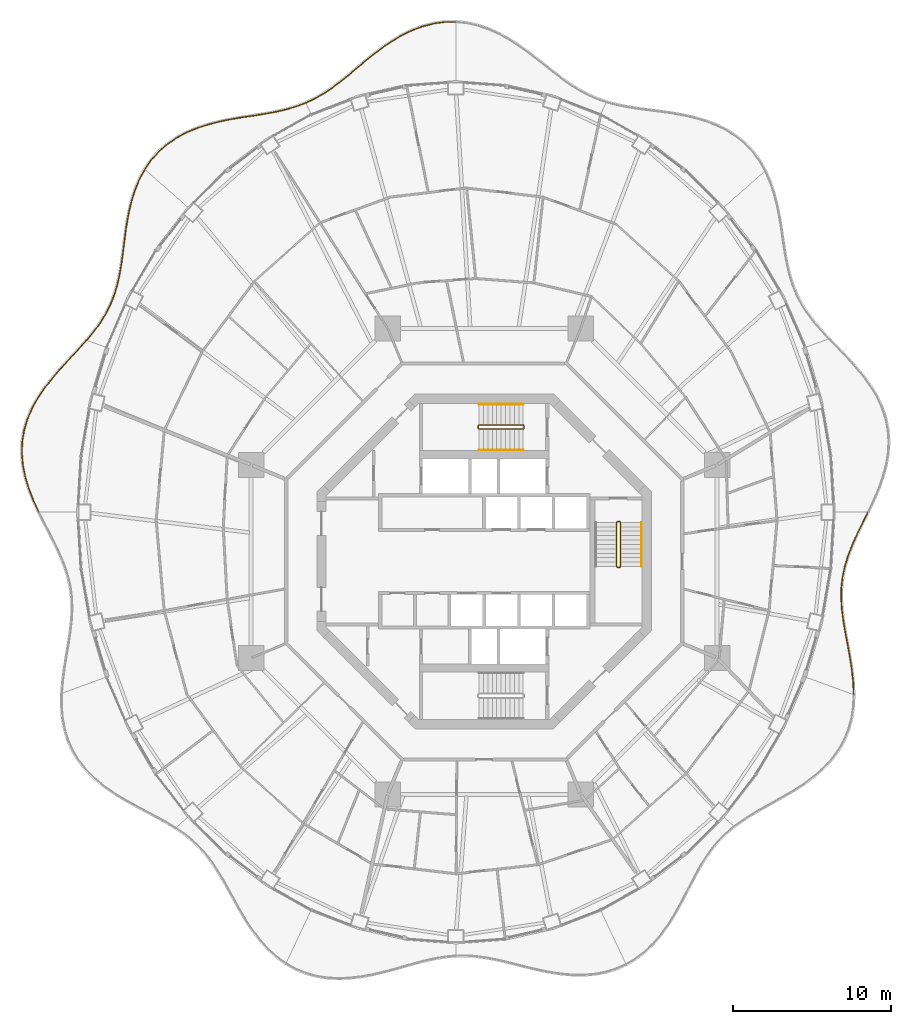
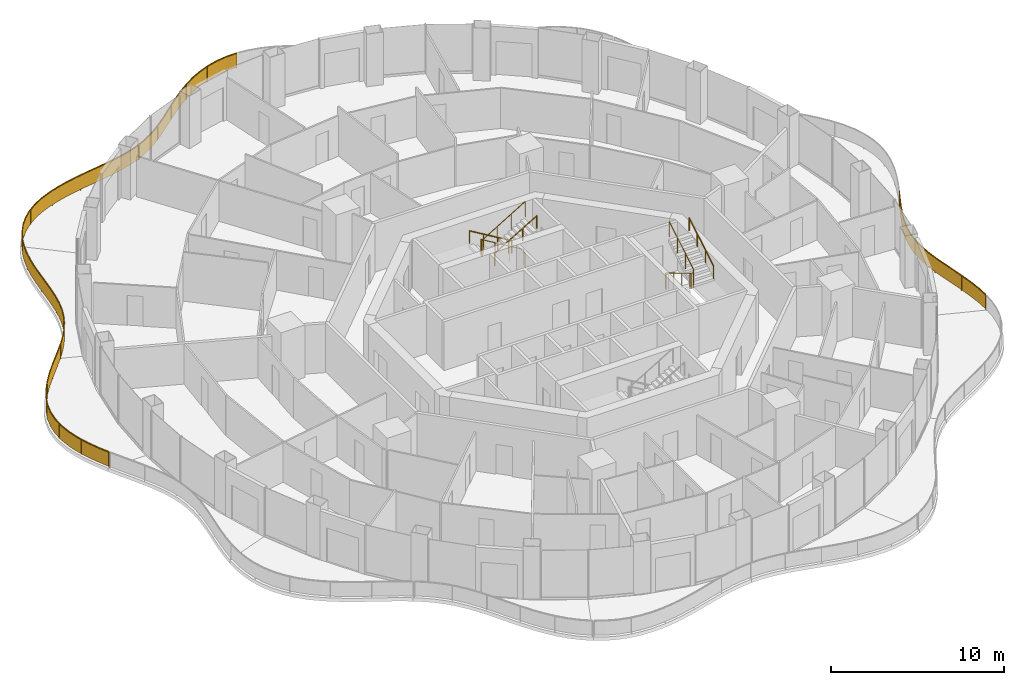
# One storey, part 17 of 18: 10 railings.
"""IFC4 building model written with IfcOpenShell, lengths in metres."""

from ifc_helpers import new_model, si_unit, direction, frame, origin, origin_2d, place, context, subcontext, project, spatial, polyline, rectangle, circle, outline, extrude, material, type_object, element, save


model = new_model("IFC4")

# Units and contexts
model_context = context("Model", 3, precision=1e-05, world=origin(), true_north=direction((0.0, 1.0)))
body_context = subcontext(model_context, "Body", "Model", "MODEL_VIEW")
ifc_project = project(units=[si_unit("LENGTHUNIT", "METRE"), si_unit("AREAUNIT", "SQUARE_METRE"), si_unit("VOLUMEUNIT", "CUBIC_METRE"), si_unit("PLANEANGLEUNIT", "RADIAN"), si_unit("MASSUNIT", "GRAM", prefix="KILO")], contexts=[model_context])

# Site, building, storey
site_placement = place(None, origin())
site = spatial("IfcSite", under=ifc_project, at=site_placement, CompositionType="ELEMENT")
building_placement = place(site_placement, origin())
building = spatial("IfcBuilding", under=site, at=building_placement, Name="Nagisa Residences", CompositionType="ELEMENT")
storey_placement = place(building_placement, frame((0.0, 0.0, 234.39990234375)))
storey = spatial("IfcBuildingStorey", under=building, at=storey_placement, Name="L59", CompositionType="ELEMENT", Elevation=234.39990234375)

# Railings
ifc_material_1 = material(Name="Stainless steel 316", Category="steel")
railing_type_1 = type_object("IfcRailingType", Name="BALCONY GUARD 1100", PredefinedType="BALUSTRADE", material=ifc_material_1)
railing_1_placement = place(storey_placement, frame((-1.8388671875, 34.22900390625, 0.0)))
element("IfcRailing", 1, at=railing_1_placement, inside=storey, type_object=railing_type_1, Name="guard:L59:bal04-0", PredefinedType="BALUSTRADE", context=body_context, shape_type="SweptSolid", body=[
    extrude(outline(polyline([(-0.6533203125, -0.03369140625), (0.000244140625, -0.02490234375), (-0.000244140625, 0.02490234375), (-0.6572265625, 0.01611328125), (-1.358642578125, -0.077880859375), (-2.05029296875, -0.2529296875), (-2.7265625, -0.5029296875), (-3.3818359375, -0.818603515625), (-3.99951171875, -1.186767578125), (-4.609619140625, -1.60009765625), (-5.1962890625, -2.04150390625), (-5.76171875, -2.497802734375), (-6.308837890625, -2.95458984375), (-6.82568359375, -3.394287109375), (-7.3515625, -3.815673828125), (-7.8759765625, -4.204345703125), (-8.4052734375, -4.553955078125), (-8.94580078125, -4.860107421875), (-9.46533203125, -5.10400390625), (-9.44384765625, -5.1494140625), (-8.9228515625, -4.904541015625), (-8.37890625, -4.596435546875), (-7.84716796875, -4.245361328125), (-7.32080078125, -3.855224609375), (-6.7939453125, -3.432861328125), (-6.276611328125, -2.99267578125), (-5.72998046875, -2.536376953125), (-5.16552734375, -2.0810546875), (-4.580322265625, -1.640625), (-3.97265625, -1.229248046875), (-3.35791015625, -0.862548828125), (-2.70703125, -0.548828125), (-2.03564453125, -0.30078125), (-1.349365234375, -0.127197265625), (-0.6533203125, -0.03369140625)])), frame((0.0, 0.0, 1.050048828125)), (0.0, 0.0, 1.0), 0.050048828125),
    extrude(outline(polyline([(-0.65478515625, -0.015869140625), (0.0, -0.007080078125), (0.0, 0.007080078125), (-0.65576171875, -0.001708984375), (-1.355224609375, -0.095703125), (-2.045166015625, -0.270263671875), (-2.719482421875, -0.51953125), (-3.373291015625, -0.83447265625), (-3.98974609375, -1.2021484375), (-4.59912109375, -1.61474609375), (-5.185302734375, -2.0556640625), (-5.750244140625, -2.51171875), (-6.297119140625, -2.96826171875), (-6.814208984375, -3.408203125), (-7.340576171875, -3.829833984375), (-7.865478515625, -4.21923828125), (-8.395751953125, -4.5693359375), (-8.9375, -4.876220703125), (-9.45751953125, -5.120361328125), (-9.45166015625, -5.133056640625), (-8.93115234375, -4.888427734375), (-8.388427734375, -4.5810546875), (-7.857666015625, -4.23046875), (-7.331787109375, -3.841064453125), (-6.805419921875, -3.4189453125), (-6.288330078125, -2.97900390625), (-5.741455078125, -2.5224609375), (-5.176513671875, -2.06689453125), (-4.5908203125, -1.6259765625), (-3.982421875, -1.2138671875), (-3.366455078125, -0.8466796875), (-2.714111328125, -0.5322265625), (-2.040771484375, -0.283447265625), (-1.352783203125, -0.109375), (-0.65478515625, -0.015869140625)])), frame((0.0, 0.0, 0.06005859375)), (0.0, 0.0, 1.0), 0.989990234375),
    extrude(rectangle(XDim=0.0400390625, YDim=0.0400390625, at=origin_2d()), origin(), (0.0, 0.0, 1.0), 1.050048828125),
    extrude(rectangle(XDim=0.0400390625, YDim=0.0400390625, at=origin_2d()), frame((-2.16015625, -0.320068359375, 0.0)), (0.0, 0.0, 1.0), 1.050048828125),
    extrude(rectangle(XDim=0.0400390625, YDim=0.0400390625, at=origin_2d()), frame((-4.11865234375, -1.2978515625, 0.0)), (0.0, 0.0, 1.0), 1.050048828125),
    extrude(rectangle(XDim=0.0400390625, YDim=0.0400390625, at=origin_2d()), frame((-5.869873046875, -2.62060546875, 0.0)), (0.0, 0.0, 1.0), 1.050048828125),
    extrude(rectangle(XDim=0.0400390625, YDim=0.0400390625, at=origin_2d()), frame((-7.570556640625, -4.009033203125, 0.0)), (0.0, 0.0, 1.0), 1.050048828125),
    extrude(rectangle(XDim=0.0400390625, YDim=0.0400390625, at=origin_2d()), frame((-9.45458984375, -5.126708984375, 0.0)), (0.0, 0.0, 1.0), 1.050048828125),
])
railing_2_placement = place(storey_placement, frame((-11.35693359375, 29.075927734375, 0.0)))
element("IfcRailing", 2, at=railing_2_placement, inside=storey, type_object=railing_type_1, Name="guard:L59:bal05-0", PredefinedType="BALUSTRADE", context=body_context, shape_type="SweptSolid", body=[
    extrude(outline(polyline([(-0.554931640625, -0.2353515625), (0.0087890625, -0.0234375), (-0.0087890625, 0.0234375), (-0.571044921875, -0.18798828125), (-1.198974609375, -0.372802734375), (-1.85498046875, -0.524169921875), (-2.53857421875, -0.65087890625), (-3.245849609375, -0.764892578125), (-3.958251953125, -0.869384765625), (-4.69580078125, -0.995361328125), (-5.435791015625, -1.14599609375), (-6.16796875, -1.333251953125), (-6.880859375, -1.566650390625), (-7.552001953125, -1.843505859375), (-8.1953125, -2.19091796875), (-8.788818359375, -2.600830078125), (-9.324951171875, -3.07373046875), (-9.798828125, -3.607177734375), (-10.178466796875, -4.156982421875), (-10.137451171875, -4.185302734375), (-9.75927734375, -3.637939453125), (-9.289794921875, -3.109375), (-8.758056640625, -2.640380859375), (-8.1689453125, -2.23388671875), (-7.530517578125, -1.888916015625), (-6.86328125, -1.613525390625), (-6.15380859375, -1.381103515625), (-5.424560546875, -1.19482421875), (-4.6865234375, -1.044677734375), (-3.950439453125, -0.918701171875), (-3.238037109375, -0.814208984375), (-2.52978515625, -0.7001953125), (-1.8447265625, -0.572998046875), (-1.186279296875, -0.421142578125), (-0.554931640625, -0.2353515625)])), frame((0.0, 0.0, 1.050048828125)), (0.0, 0.0, 1.0), 0.050048828125),
    extrude(outline(polyline([(-0.560791015625, -0.21826171875), (0.00244140625, -0.006591796875), (-0.00244140625, 0.006591796875), (-0.565185546875, -0.205078125), (-1.1943359375, -0.39013671875), (-1.851318359375, -0.541748046875), (-2.535400390625, -0.668701171875), (-3.242919921875, -0.78271484375), (-3.955322265625, -0.88720703125), (-4.6923828125, -1.01318359375), (-5.431640625, -1.16357421875), (-6.162841796875, -1.350341796875), (-6.87451171875, -1.58349609375), (-7.544189453125, -1.85986328125), (-8.185791015625, -2.20654296875), (-8.77783203125, -2.614990234375), (-9.312255859375, -3.086669921875), (-9.78466796875, -3.6181640625), (-10.163818359375, -4.167236328125), (-10.152099609375, -4.175048828125), (-9.7734375, -3.626953125), (-9.302490234375, -3.096435546875), (-8.76904296875, -2.626220703125), (-8.178466796875, -2.21826171875), (-7.538330078125, -1.87255859375), (-6.86962890625, -1.5966796875), (-6.158935546875, -1.364013671875), (-5.4287109375, -1.17724609375), (-4.68994140625, -1.02685546875), (-3.953369140625, -0.90087890625), (-3.240966796875, -0.79638671875), (-2.532958984375, -0.682373046875), (-1.848388671875, -0.555419921875), (-1.19091796875, -0.40380859375), (-0.560791015625, -0.21826171875)])), frame((0.0, 0.0, 0.06005859375)), (0.0, 0.0, 1.0), 0.989990234375),
    extrude(rectangle(XDim=0.0400390625, YDim=0.0400390625, at=origin_2d()), origin(), (0.0, 0.0, 1.0), 1.050048828125),
    extrude(rectangle(XDim=0.0400390625, YDim=0.0400390625, at=origin_2d()), frame((-2.177734375, -0.609375, 0.0)), (0.0, 0.0, 1.0), 1.050048828125),
    extrude(rectangle(XDim=0.0400390625, YDim=0.0400390625, at=origin_2d()), frame((-4.4140625, -0.97265625, 0.0)), (0.0, 0.0, 1.0), 1.050048828125),
    extrude(rectangle(XDim=0.0400390625, YDim=0.0400390625, at=origin_2d()), frame((-6.61376953125, -1.50537109375, 0.0)), (0.0, 0.0, 1.0), 1.050048828125),
    extrude(rectangle(XDim=0.0400390625, YDim=0.0400390625, at=origin_2d()), frame((-8.6279296875, -2.52001953125, 0.0)), (0.0, 0.0, 1.0), 1.050048828125),
    extrude(rectangle(XDim=0.0400390625, YDim=0.0400390625, at=origin_2d()), frame((-10.157958984375, -4.171142578125, 0.0)), (0.0, 0.0, 1.0), 1.050048828125),
])
railing_3_placement = place(storey_placement, frame((-21.554931640625, 24.838623046875, 0.0)))
element("IfcRailing", 3, at=railing_3_placement, inside=storey, type_object=railing_type_1, Name="guard:L59:bal06-0", PredefinedType="BALUSTRADE", context=body_context, shape_type="SweptSolid", body=[
    extrude(outline(polyline([(-0.310546875, -0.637451171875), (0.022216796875, -0.01171875), (-0.022216796875, 0.01171875), (-0.35595703125, -0.616455078125), (-0.644775390625, -1.329345703125), (-0.87109375, -2.074462890625), (-1.045166015625, -2.840087890625), (-1.178466796875, -3.6142578125), (-1.277587890625, -4.373046875), (-1.37353515625, -5.132080078125), (-1.4736328125, -5.87060546875), (-1.592529296875, -6.58251953125), (-1.7431640625, -7.264892578125), (-1.929931640625, -7.90283203125), (-2.174072265625, -8.5234375), (-2.47314453125, -9.117919921875), (-2.828369140625, -9.690673828125), (-3.23681640625, -10.248046875), (-3.6650390625, -10.76318359375), (-3.62646484375, -10.79541015625), (-3.197265625, -10.27880859375), (-2.786865234375, -9.718505859375), (-2.42919921875, -9.142333984375), (-2.128173828125, -8.5439453125), (-1.882568359375, -7.9189453125), (-1.69482421875, -7.277099609375), (-1.543212890625, -6.59228515625), (-1.42431640625, -5.8779296875), (-1.32373046875, -5.138427734375), (-1.227783203125, -4.37939453125), (-1.129150390625, -3.62158203125), (-0.995849609375, -2.849853515625), (-0.82275390625, -2.087158203125), (-0.597412109375, -1.345947265625), (-0.310546875, -0.637451171875)])), frame((0.0, 0.0, 1.050048828125)), (0.0, 0.0, 1.0), 0.050048828125),
    extrude(outline(polyline([(-0.326904296875, -0.6298828125), (0.006103515625, -0.003173828125), (-0.006103515625, 0.003173828125), (-0.339599609375, -0.6240234375), (-0.627685546875, -1.335205078125), (-0.853759765625, -2.0791015625), (-1.02734375, -2.843505859375), (-1.16064453125, -3.616943359375), (-1.259521484375, -4.375244140625), (-1.35546875, -5.13427734375), (-1.455810546875, -5.873291015625), (-1.57470703125, -6.586181640625), (-1.725830078125, -7.269287109375), (-1.912841796875, -7.90869140625), (-2.157470703125, -8.53076171875), (-2.457275390625, -9.126708984375), (-2.8134765625, -9.70068359375), (-3.22265625, -10.259033203125), (-3.651123046875, -10.77490234375), (-3.640380859375, -10.78369140625), (-3.21142578125, -10.267822265625), (-2.8017578125, -9.70849609375), (-2.445068359375, -9.133544921875), (-2.144775390625, -8.53662109375), (-1.899658203125, -7.9130859375), (-1.712158203125, -7.272705078125), (-1.56103515625, -6.588623046875), (-1.442138671875, -5.875244140625), (-1.341796875, -5.13623046875), (-1.245849609375, -4.377197265625), (-1.14697265625, -3.618896484375), (-1.013671875, -2.846435546875), (-0.840087890625, -2.08251953125), (-0.614501953125, -1.340087890625), (-0.326904296875, -0.6298828125)])), frame((0.0, 0.0, 0.06005859375)), (0.0, 0.0, 1.0), 0.989990234375),
    extrude(rectangle(XDim=0.0400390625, YDim=0.0400390625, at=origin_2d()), origin(), (0.0, 0.0, 1.0), 1.050048828125),
    extrude(rectangle(XDim=0.0400390625, YDim=0.0400390625, at=origin_2d()), frame((-0.860107421875, -2.138427734375, 0.0)), (0.0, 0.0, 1.0), 1.050048828125),
    extrude(rectangle(XDim=0.0400390625, YDim=0.0400390625, at=origin_2d()), frame((-1.257568359375, -4.4150390625, 0.0)), (0.0, 0.0, 1.0), 1.050048828125),
    extrude(rectangle(XDim=0.0400390625, YDim=0.0400390625, at=origin_2d()), frame((-1.59326171875, -6.70263671875, 0.0)), (0.0, 0.0, 1.0), 1.050048828125),
    extrude(rectangle(XDim=0.0400390625, YDim=0.0400390625, at=origin_2d()), frame((-2.328369140625, -8.88623046875, 0.0)), (0.0, 0.0, 1.0), 1.050048828125),
    extrude(rectangle(XDim=0.0400390625, YDim=0.0400390625, at=origin_2d()), frame((-3.645751953125, -10.779296875, 0.0)), (0.0, 0.0, 1.0), 1.050048828125),
])
railing_4_placement = place(storey_placement, frame((-25.250732421875, 14.0048828125, 0.0)))
element("IfcRailing", 4, at=railing_4_placement, inside=storey, type_object=railing_type_1, Name="guard:L59:bal07-0", PredefinedType="BALUSTRADE", context=body_context, shape_type="SweptSolid", body=[
    extrude(outline(polyline([(-0.4619140625, -0.5498046875), (0.0185546875, -0.016845703125), (-0.0185546875, 0.016845703125), (-0.4990234375, -0.51611328125), (-1.031005859375, -1.088623046875), (-1.570556640625, -1.675048828125), (-2.099609375, -2.280517578125), (-2.5986328125, -2.90966796875), (-3.046630859375, -3.551025390625), (-3.43310546875, -4.232421875), (-3.740966796875, -4.938720703125), (-3.959716796875, -5.66650390625), (-4.082763671875, -6.4111328125), (-4.107421875, -7.153564453125), (-4.0390625, -7.9150390625), (-3.8837890625, -8.675537109375), (-3.6533203125, -9.430419921875), (-3.3623046875, -10.17431640625), (-3.04541015625, -10.863037109375), (-3.0, -10.842041015625), (-3.31640625, -10.15478515625), (-3.60595703125, -9.413818359375), (-3.83544921875, -8.663330078125), (-3.9892578125, -7.90771484375), (-4.05712890625, -7.152099609375), (-4.032958984375, -6.416015625), (-3.910888671875, -5.677734375), (-3.694091796875, -4.955810546875), (-3.38818359375, -4.2548828125), (-3.004150390625, -3.577880859375), (-2.55859375, -2.939453125), (-2.06103515625, -2.312744140625), (-1.533447265625, -1.708251953125), (-0.994384765625, -1.122802734375), (-0.4619140625, -0.5498046875)])), frame((0.0, 0.0, 1.050048828125)), (0.0, 0.0, 1.0), 0.050048828125),
    extrude(outline(polyline([(-0.475341796875, -0.53759765625), (0.005126953125, -0.004638671875), (-0.005126953125, 0.004638671875), (-0.485595703125, -0.5283203125), (-1.017822265625, -1.10107421875), (-1.55712890625, -1.68701171875), (-2.085693359375, -2.292236328125), (-2.584228515625, -2.92041015625), (-3.03125, -3.560791015625), (-3.4169921875, -4.240478515625), (-3.72412109375, -4.94482421875), (-3.942138671875, -5.670654296875), (-4.06494140625, -6.412841796875), (-4.08935546875, -7.153076171875), (-4.02099609375, -7.912353515625), (-3.866455078125, -8.671142578125), (-3.63623046875, -9.42431640625), (-3.345703125, -10.167236328125), (-3.029052734375, -10.85546875), (-3.016357421875, -10.849609375), (-3.3330078125, -10.161865234375), (-3.623046875, -9.419921875), (-3.852783203125, -8.667724609375), (-4.00732421875, -7.910400390625), (-4.0751953125, -7.152587890625), (-4.05078125, -6.414306640625), (-3.928466796875, -5.673583984375), (-3.7109375, -4.94970703125), (-3.404296875, -4.246826171875), (-3.01953125, -3.568115234375), (-2.572998046875, -2.9287109375), (-2.074951171875, -2.301025390625), (-1.546875, -1.6962890625), (-1.007568359375, -1.1103515625), (-0.475341796875, -0.53759765625)])), frame((0.0, 0.0, 0.06005859375)), (0.0, 0.0, 1.0), 0.989990234375),
    extrude(rectangle(XDim=0.0400390625, YDim=0.0400390625, at=origin_2d()), origin(), (0.0, 0.0, 1.0), 1.050048828125),
    extrude(rectangle(XDim=0.0400390625, YDim=0.0400390625, at=origin_2d()), frame((-1.3916015625, -1.517578125, 0.0)), (0.0, 0.0, 1.0), 1.050048828125),
    extrude(rectangle(XDim=0.0400390625, YDim=0.0400390625, at=origin_2d()), frame((-2.703125, -3.10302734375, 0.0)), (0.0, 0.0, 1.0), 1.050048828125),
    extrude(rectangle(XDim=0.0400390625, YDim=0.0400390625, at=origin_2d()), frame((-3.696533203125, -4.8994140625, 0.0)), (0.0, 0.0, 1.0), 1.050048828125),
    extrude(rectangle(XDim=0.0400390625, YDim=0.0400390625, at=origin_2d()), frame((-4.07421875, -6.91162109375, 0.0)), (0.0, 0.0, 1.0), 1.050048828125),
    extrude(rectangle(XDim=0.0400390625, YDim=0.0400390625, at=origin_2d()), frame((-3.777099609375, -8.939697265625, 0.0)), (0.0, 0.0, 1.0), 1.050048828125),
    extrude(rectangle(XDim=0.0400390625, YDim=0.0400390625, at=origin_2d()), frame((-3.022705078125, -10.8525390625, 0.0)), (0.0, 0.0, 1.0), 1.050048828125),
])
railing_5_placement = place(storey_placement, frame((23.439453125, -8.418701171875, 0.0)))
element("IfcRailing", 5, at=railing_5_placement, inside=storey, type_object=railing_type_1, Name="guard:L59:bal15-0", PredefinedType="BALUSTRADE", context=body_context, shape_type="SweptSolid", body=[
    extrude(outline(polyline([(-0.05517578125, 0.747314453125), (-0.02490234375, -0.0009765625), (0.02490234375, 0.0009765625), (-0.00537109375, 0.751220703125), (-0.09033203125, 1.550537109375), (-0.213623046875, 2.345458984375), (-0.3564453125, 3.129150390625), (-0.5, 3.896728515625), (-0.629150390625, 4.632080078125), (-0.72119140625, 5.36083984375), (-0.765625, 6.0703125), (-0.75244140625, 6.763427734375), (-0.675048828125, 7.44384765625), (-0.533203125, 8.10302734375), (-0.326904296875, 8.77392578125), (-0.06494140625, 9.447998046875), (0.24169921875, 10.13037109375), (0.577880859375, 10.82421875), (0.908447265625, 11.4912109375), (0.863525390625, 11.513671875), (0.532958984375, 10.84619140625), (0.1962890625, 10.1513671875), (-0.111328125, 9.467529296875), (-0.374267578125, 8.79052734375), (-0.58154296875, 8.11572265625), (-0.724365234375, 7.4521484375), (-0.80224609375, 6.766845703125), (-0.81591796875, 6.0693359375), (-0.77099609375, 5.35595703125), (-0.678466796875, 4.624755859375), (-0.54931640625, 3.887939453125), (-0.40576171875, 3.119873046875), (-0.262939453125, 2.337158203125), (-0.14013671875, 1.544189453125), (-0.05517578125, 0.747314453125)])), frame((0.0, 0.0, 1.050048828125)), (0.0, 0.0, 1.0), 0.050048828125),
    extrude(outline(polyline([(-0.037353515625, 0.748779296875), (-0.007080078125, -0.000244140625), (0.007080078125, 0.000244140625), (-0.023193359375, 0.749755859375), (-0.1083984375, 1.54833984375), (-0.2314453125, 2.342529296875), (-0.374267578125, 3.125732421875), (-0.517822265625, 3.8935546875), (-0.64697265625, 4.62939453125), (-0.739013671875, 5.359130859375), (-0.78369140625, 6.070068359375), (-0.770263671875, 6.7646484375), (-0.69287109375, 7.44677734375), (-0.550537109375, 8.107666015625), (-0.343994140625, 8.780029296875), (-0.081787109375, 9.455078125), (0.225341796875, 10.137939453125), (0.561767578125, 10.83203125), (0.892333984375, 11.499267578125), (0.879638671875, 11.505615234375), (0.549072265625, 10.83837890625), (0.212646484375, 10.143798828125), (-0.094482421875, 9.46044921875), (-0.357177734375, 8.784423828125), (-0.564208984375, 8.111083984375), (-0.70654296875, 7.44921875), (-0.784423828125, 6.765625), (-0.7978515625, 6.069580078125), (-0.753173828125, 5.357666015625), (-0.66064453125, 4.62744140625), (-0.531494140625, 3.89111328125), (-0.387939453125, 3.123291015625), (-0.2451171875, 2.340087890625), (-0.1220703125, 1.54638671875), (-0.037353515625, 0.748779296875)])), frame((0.0, 0.0, 0.06005859375)), (0.0, 0.0, 1.0), 0.989990234375),
    extrude(rectangle(XDim=0.0400390625, YDim=0.0400390625, at=origin_2d()), origin(), (0.0, 0.0, 1.0), 1.050048828125),
    extrude(rectangle(XDim=0.0400390625, YDim=0.0400390625, at=origin_2d()), frame((-0.241943359375, 2.361572265625, 0.0)), (0.0, 0.0, 1.0), 1.050048828125),
    extrude(rectangle(XDim=0.0400390625, YDim=0.0400390625, at=origin_2d()), frame((-0.662841796875, 4.7001953125, 0.0)), (0.0, 0.0, 1.0), 1.050048828125),
    extrude(rectangle(XDim=0.0400390625, YDim=0.0400390625, at=origin_2d()), frame((-0.742919921875, 7.06787109375, 0.0)), (0.0, 0.0, 1.0), 1.050048828125),
    extrude(rectangle(XDim=0.0400390625, YDim=0.0400390625, at=origin_2d()), frame((-0.12841796875, 9.35400390625, 0.0)), (0.0, 0.0, 1.0), 1.050048828125),
    extrude(rectangle(XDim=0.0400390625, YDim=0.0400390625, at=origin_2d()), frame((0.885986328125, 11.50244140625, 0.0)), (0.0, 0.0, 1.0), 1.050048828125),
])
ifc_material_2 = material(Name="Stainless steel", Category="steel")
railing_type_2 = type_object("IfcRailingType", Name="Stair guard 1100", PredefinedType="GUARDRAIL", material=ifc_material_2)
railing_6_placement = place(storey_placement, frame((8.599609375, 2.52490234375, 0.0)))
element("IfcRailing", 6, at=railing_6_placement, inside=storey, type_object=railing_type_2, Name="L59 ST-E stair guard 1", PredefinedType="GUARDRAIL", context=body_context, shape_type="SweptSolid", body=[
    extrude(circle(Radius=0.02392578125, at=origin_2d()), frame((0.0, 0.0, 1.076171875), z_axis=(-1.0, 0.0, 0.0), x_axis=(0.0, -1.0, 0.0)), (0.0, 0.0, 1.0), 0.14990234375),
    extrude(circle(Radius=0.02392578125, at=origin_2d()), frame((-0.14990234375, 0.0, 1.076171875), z_axis=(-0.27434429532, -0.273006030465, 0.922064485248), x_axis=(0.705375805398, -0.708833529934, 0.0)), (0.0, 0.0, 1.0), 0.182373046875),
    extrude(circle(Radius=0.02392578125, at=origin_2d()), frame((-0.199951171875, -0.0498046875, 1.244140625), z_axis=(0.0, -0.857242210791, 0.514913383045), x_axis=(1.0, 0.0, 0.0)), (0.0, 0.0, 1.0), 3.266357421875),
    extrude(circle(Radius=0.02392578125, at=origin_2d()), frame((-0.199951171875, -2.849853515625, 2.92626953125), z_axis=(0.707106781187, -0.707106781187, 0.0), x_axis=(0.707106781187, 0.707106781187, 0.0)), (0.0, 0.0, 1.0), 0.07080078125),
    extrude(circle(Radius=0.02392578125, at=origin_2d()), frame((-0.14990234375, -2.89990234375, 2.92626953125), z_axis=(1.0, 0.0, 0.0), x_axis=(0.0, 1.0, 0.0)), (0.0, 0.0, 1.0), 0.14990234375),
    extrude(circle(Radius=0.02392578125, at=origin_2d()), frame((0.0, -2.89990234375, 2.92626953125), z_axis=(0.274243871929, 0.274243871929, 0.92172696468), x_axis=(-0.707106781187, 0.707106781187, 0.0)), (0.0, 0.0, 1.0), 0.1826171875),
    extrude(circle(Radius=0.02392578125, at=origin_2d()), frame((0.050048828125, -2.849853515625, 3.09423828125), z_axis=(0.0, 0.857242210791, 0.514913383045), x_axis=(-1.0, 0.0, 0.0)), (0.0, 0.0, 1.0), 3.266357421875),
    extrude(circle(Radius=0.02099609375, at=origin_2d()), origin(), (0.0, 0.0, 1.0), 1.052001953125),
    extrude(circle(Radius=0.02099609375, at=origin_2d()), frame((-0.14990234375, 0.0, 0.0)), (0.0, 0.0, 1.0), 1.052001953125),
    extrude(circle(Radius=0.02099609375, at=origin_2d()), frame((-0.199951171875, -0.0498046875, 0.168212890625)), (0.0, 0.0, 1.0), 1.052001953125),
    extrude(circle(Radius=0.02099609375, at=origin_2d()), frame((-0.199951171875, -0.983154296875, 0.728759765625)), (0.0, 0.0, 1.0), 1.052001953125),
    extrude(circle(Radius=0.02099609375, at=origin_2d()), frame((-0.199951171875, -1.91650390625, 1.28955078125)), (0.0, 0.0, 1.0), 1.052001953125),
    extrude(circle(Radius=0.02099609375, at=origin_2d()), frame((-0.199951171875, -2.849853515625, 1.85009765625)), (0.0, 0.0, 1.0), 1.052001953125),
    extrude(circle(Radius=0.02099609375, at=origin_2d()), frame((-0.14990234375, -2.89990234375, 1.85009765625)), (0.0, 0.0, 1.0), 1.052001953125),
    extrude(circle(Radius=0.02099609375, at=origin_2d()), frame((0.0, -2.89990234375, 1.85009765625)), (0.0, 0.0, 1.0), 1.052001953125),
    extrude(circle(Radius=0.02099609375, at=origin_2d()), frame((0.050048828125, -2.849853515625, 2.018310546875)), (0.0, 0.0, 1.0), 1.052001953125),
    extrude(circle(Radius=0.02099609375, at=origin_2d()), frame((0.050048828125, -1.91650390625, 2.578857421875)), (0.0, 0.0, 1.0), 1.052001953125),
    extrude(circle(Radius=0.02099609375, at=origin_2d()), frame((0.050048828125, -0.983154296875, 3.1396484375)), (0.0, 0.0, 1.0), 1.052001953125),
    extrude(circle(Radius=0.02099609375, at=origin_2d()), frame((0.050048828125, -0.0498046875, 3.7001953125)), (0.0, 0.0, 1.0), 1.052001953125),
])
railing_7_placement = place(storey_placement, frame((2.52490234375, 8.44970703125, 0.0)))
element("IfcRailing", 7, at=railing_7_placement, inside=storey, type_object=railing_type_2, Name="L59 ST-N stair guard 1", PredefinedType="GUARDRAIL", context=body_context, shape_type="SweptSolid", body=[
    extrude(circle(Radius=0.02392578125, at=origin_2d()), frame((0.0, 0.0, 1.076171875), z_axis=(0.0, 1.0, 0.0), x_axis=(-1.0, 0.0, 0.0)), (0.0, 0.0, 1.0), 0.14990234375),
    extrude(circle(Radius=0.02392578125, at=origin_2d()), frame((0.0, 0.14990234375, 1.076171875), z_axis=(-0.273006030465, 0.27434429532, 0.922064485248), x_axis=(-0.708833529934, -0.705375805398, 0.0)), (0.0, 0.0, 1.0), 0.182373046875),
    extrude(circle(Radius=0.02392578125, at=origin_2d()), frame((-0.0498046875, 0.199951171875, 1.244140625), z_axis=(-0.857242210791, 0.0, 0.514913383045), x_axis=(0.0, -1.0, 0.0)), (0.0, 0.0, 1.0), 3.266357421875),
    extrude(circle(Radius=0.02392578125, at=origin_2d()), frame((-2.849853515625, 0.199951171875, 2.92626953125), z_axis=(-0.707106781187, -0.707106781187, 0.0), x_axis=(0.707106781187, -0.707106781187, 0.0)), (0.0, 0.0, 1.0), 0.07080078125),
    extrude(circle(Radius=0.02392578125, at=origin_2d()), frame((-2.89990234375, 0.14990234375, 2.92626953125), z_axis=(0.0, -1.0, 0.0), x_axis=(1.0, 0.0, 0.0)), (0.0, 0.0, 1.0), 0.14990234375),
    extrude(circle(Radius=0.02392578125, at=origin_2d()), frame((-2.89990234375, 0.0, 2.92626953125), z_axis=(0.274243871929, -0.274243871929, 0.92172696468), x_axis=(0.707106781187, 0.707106781187, 0.0)), (0.0, 0.0, 1.0), 0.1826171875),
    extrude(circle(Radius=0.02392578125, at=origin_2d()), frame((-2.849853515625, -0.050048828125, 3.09423828125), z_axis=(0.857242210791, 0.0, 0.514913383045), x_axis=(0.0, 1.0, 0.0)), (0.0, 0.0, 1.0), 3.266357421875),
    extrude(circle(Radius=0.02099609375, at=origin_2d()), origin(), (0.0, 0.0, 1.0), 1.052001953125),
    extrude(circle(Radius=0.02099609375, at=origin_2d()), frame((0.0, 0.14990234375, 0.0)), (0.0, 0.0, 1.0), 1.052001953125),
    extrude(circle(Radius=0.02099609375, at=origin_2d()), frame((-0.0498046875, 0.199951171875, 0.168212890625)), (0.0, 0.0, 1.0), 1.052001953125),
    extrude(circle(Radius=0.02099609375, at=origin_2d()), frame((-0.983154296875, 0.199951171875, 0.728759765625)), (0.0, 0.0, 1.0), 1.052001953125),
    extrude(circle(Radius=0.02099609375, at=origin_2d()), frame((-1.91650390625, 0.199951171875, 1.28955078125)), (0.0, 0.0, 1.0), 1.052001953125),
    extrude(circle(Radius=0.02099609375, at=origin_2d()), frame((-2.849853515625, 0.199951171875, 1.85009765625)), (0.0, 0.0, 1.0), 1.052001953125),
    extrude(circle(Radius=0.02099609375, at=origin_2d()), frame((-2.89990234375, 0.14990234375, 1.85009765625)), (0.0, 0.0, 1.0), 1.052001953125),
    extrude(circle(Radius=0.02099609375, at=origin_2d()), frame((-2.89990234375, 0.0, 1.85009765625)), (0.0, 0.0, 1.0), 1.052001953125),
    extrude(circle(Radius=0.02099609375, at=origin_2d()), frame((-2.849853515625, -0.050048828125, 2.018310546875)), (0.0, 0.0, 1.0), 1.052001953125),
    extrude(circle(Radius=0.02099609375, at=origin_2d()), frame((-1.91650390625, -0.050048828125, 2.578857421875)), (0.0, 0.0, 1.0), 1.052001953125),
    extrude(circle(Radius=0.02099609375, at=origin_2d()), frame((-0.983154296875, -0.050048828125, 3.1396484375)), (0.0, 0.0, 1.0), 1.052001953125),
    extrude(circle(Radius=0.02099609375, at=origin_2d()), frame((-0.0498046875, -0.050048828125, 3.7001953125)), (0.0, 0.0, 1.0), 1.052001953125),
])
ifc_material_3 = material(Name="Stainless steel", Category="steel")
railing_type_3 = type_object("IfcRailingType", Name="Stair handrail 900", PredefinedType="HANDRAIL", material=ifc_material_3)
railing_8_placement = place(storey_placement, frame((9.974609375, -0.324951171875, 2.018310546875)))
element("IfcRailing", 8, at=railing_8_placement, inside=storey, type_object=railing_type_3, Name="L59 ST-E stair handrail 2", PredefinedType="HANDRAIL", context=body_context, shape_type="SweptSolid", body=[
    extrude(circle(Radius=0.02392578125, at=origin_2d()), frame((0.0, 0.0, 0.8759765625), z_axis=(0.0, 0.857242210791, 0.514913383045), x_axis=(-1.0, 0.0, 0.0)), (0.0, 0.0, 1.0), 3.266357421875),
    extrude(circle(Radius=0.02099609375, at=origin_2d()), origin(), (0.0, 0.0, 1.0), 0.851806640625),
    extrude(circle(Radius=0.02099609375, at=origin_2d()), frame((0.0, 0.933349609375, 0.560546875)), (0.0, 0.0, 1.0), 0.851806640625),
    extrude(circle(Radius=0.02099609375, at=origin_2d()), frame((0.0, 1.86669921875, 1.121337890625)), (0.0, 0.0, 1.0), 0.851806640625),
    extrude(circle(Radius=0.02099609375, at=origin_2d()), frame((0.0, 2.800048828125, 1.681884765625)), (0.0, 0.0, 1.0), 0.851806640625),
])
railing_9_placement = place(storey_placement, frame((2.47509765625, 9.974609375, 0.168212890625)))
element("IfcRailing", 9, at=railing_9_placement, inside=storey, type_object=railing_type_3, Name="L59 ST-N stair handrail 1", PredefinedType="HANDRAIL", context=body_context, shape_type="SweptSolid", body=[
    extrude(circle(Radius=0.02392578125, at=origin_2d()), frame((0.0, 0.0, 0.8759765625), z_axis=(-0.857242210791, 0.0, 0.514913383045), x_axis=(0.0, -1.0, 0.0)), (0.0, 0.0, 1.0), 3.266357421875),
    extrude(circle(Radius=0.02099609375, at=origin_2d()), origin(), (0.0, 0.0, 1.0), 0.851806640625),
    extrude(circle(Radius=0.02099609375, at=origin_2d()), frame((-0.933349609375, 0.0, 0.560546875)), (0.0, 0.0, 1.0), 0.851806640625),
    extrude(circle(Radius=0.02099609375, at=origin_2d()), frame((-1.86669921875, 0.0, 1.121337890625)), (0.0, 0.0, 1.0), 0.851806640625),
    extrude(circle(Radius=0.02099609375, at=origin_2d()), frame((-2.800048828125, 0.0, 1.681884765625)), (0.0, 0.0, 1.0), 0.851806640625),
])
railing_10_placement = place(storey_placement, frame((-0.324951171875, 7.07470703125, 2.018310546875)))
element("IfcRailing", 10, at=railing_10_placement, inside=storey, type_object=railing_type_3, Name="L59 ST-N stair handrail 2", PredefinedType="HANDRAIL", context=body_context, shape_type="SweptSolid", body=[
    extrude(circle(Radius=0.02392578125, at=origin_2d()), frame((0.0, 0.0, 0.8759765625), z_axis=(0.857242210791, 0.0, 0.514913383045), x_axis=(0.0, 1.0, 0.0)), (0.0, 0.0, 1.0), 3.266357421875),
    extrude(circle(Radius=0.02099609375, at=origin_2d()), origin(), (0.0, 0.0, 1.0), 0.851806640625),
    extrude(circle(Radius=0.02099609375, at=origin_2d()), frame((0.933349609375, 0.0, 0.560546875)), (0.0, 0.0, 1.0), 0.851806640625),
    extrude(circle(Radius=0.02099609375, at=origin_2d()), frame((1.86669921875, 0.0, 1.121337890625)), (0.0, 0.0, 1.0), 0.851806640625),
    extrude(circle(Radius=0.02099609375, at=origin_2d()), frame((2.800048828125, 0.0, 1.681884765625)), (0.0, 0.0, 1.0), 0.851806640625),
])

save(model, "model.ifc")
